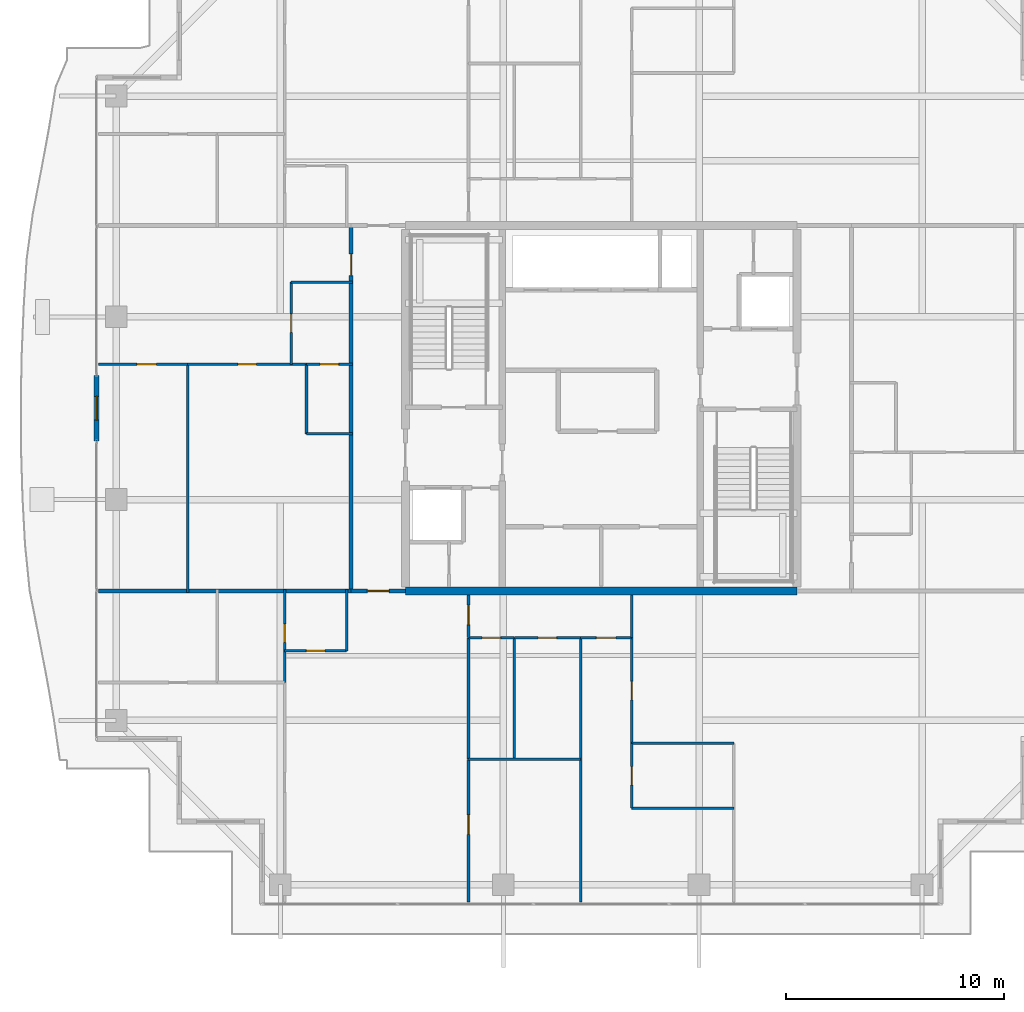
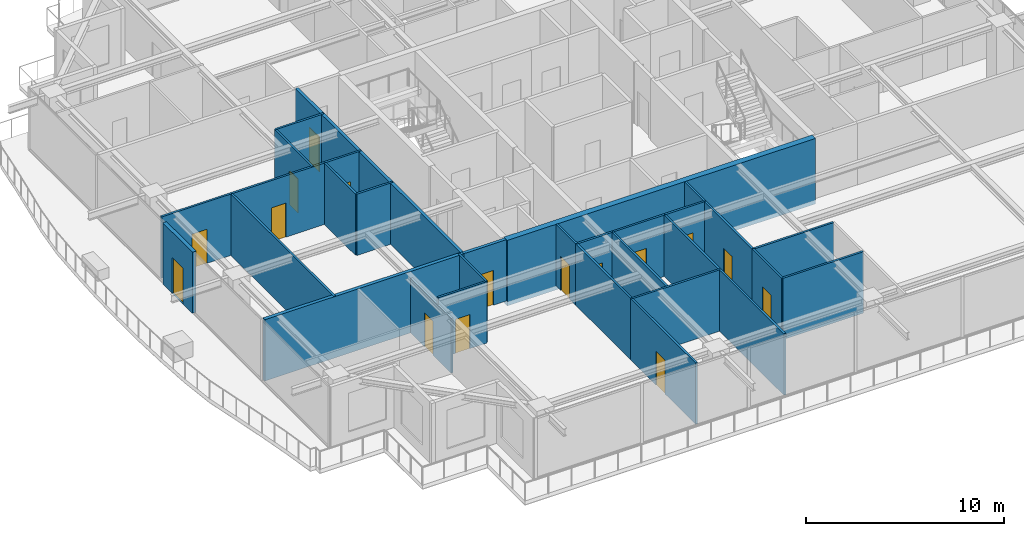
# One storey, part 26 of 37: 30 walls, 16 doors, 16 openings.
"""IFC4 building model written with IfcOpenShell, lengths in metres."""

from ifc_helpers import new_model, si_unit, direction, frame, frame_2d, origin, place, context, subcontext, project, spatial, rectangle, extrude, source, transform, mapped, material, layer, layer_set, type_object, element, fill, save


model = new_model("IFC4")

# Units and contexts
model_context = context("Model", 3, precision=1e-05, world=origin(), true_north=direction((0.0, 1.0)))
body_context = subcontext(model_context, "Body", "Model", "MODEL_VIEW")
ifc_project = project(units=[si_unit("LENGTHUNIT", "METRE"), si_unit("AREAUNIT", "SQUARE_METRE"), si_unit("VOLUMEUNIT", "CUBIC_METRE"), si_unit("PLANEANGLEUNIT", "RADIAN"), si_unit("MASSUNIT", "GRAM", prefix="KILO")], contexts=[model_context])

# Site, building, storey
site_placement = place(None, origin())
site = spatial("IfcSite", under=ifc_project, at=site_placement, CompositionType="ELEMENT")
building_placement = place(site_placement, origin())
building = spatial("IfcBuilding", under=site, at=building_placement, Name="Serunith Strait Residences", CompositionType="ELEMENT")
storey_placement = place(building_placement, frame((0.0, 0.0, 317.75)))
storey = spatial("IfcBuildingStorey", under=building, at=storey_placement, Name="L79", CompositionType="ELEMENT", Elevation=317.75)

# Wall, opening, door
ifc_material_1 = material(Name="Pale-Champagne Aluminium Insulated Panel", Category="aluminium")
ifc_layer_1 = layer(ifc_material_1, 0.219970703125, Name="Pale-Champagne Aluminium Insulated Panel")
ifc_layer_set_1 = layer_set([ifc_layer_1], Name="Pale-Champagne Aluminium Insulated Panel")
wall_type_1 = type_object("IfcWallType", Name="EW-ALUM-220", PredefinedType="ELEMENTEDWALL", material=ifc_layer_set_1)
wall_1_placement = place(storey_placement, frame((9.199951171875, 26.699951171875, 0.0), z_axis=(0.0, 0.0, 1.0), x_axis=(0.0, -1.0, 0.0)))
wall_1 = element("IfcWall", 1, at=wall_1_placement, inside=storey, type_object=wall_type_1, Name="L79 W Facade Pier Wall", PredefinedType="ELEMENTEDWALL", context=body_context, shape_type="SweptSolid", body=[
    extrude(rectangle(XDim=3.0, YDim=0.219970703125, at=frame_2d((1.5, 0.0))), origin(), (0.0, 0.0, 1.0), 3.77490234375),
])
opening_1_placement = place(wall_1_placement, frame((0.949951171875, 0.0, 0.0)))
opening_1 = element("IfcOpeningElement", 2, at=opening_1_placement, cuts=wall_1, Name="Opening ED-03", PredefinedType="OPENING", context=body_context, shape_type="SweptSolid", body=[
    extrude(rectangle(XDim=1.10009765625, YDim=2.199951171875, at=frame_2d((0.550048828125, 1.10009765625))), frame((0.0, 0.1201171875, 0.0), z_axis=(0.0, -1.0, 0.0), x_axis=(1.0, 0.0, 0.0)), (0.0, 0.0, 1.0), 0.239990234375),
])
ifc_material_2 = material(Name="Thermally-Broken Aluminium Glazed Balcony Door", Category="aluminium")
door_type_1 = type_object("IfcDoorType", Name="ED-BALC-1100", OperationType="NOTDEFINED", PredefinedType="DOOR", material=ifc_material_2)
shared_shape_1 = source(origin(), body_context, "Body", "SweptSolid", [
    extrude(rectangle(XDim=1.10009765625, YDim=2.199951171875, at=frame_2d((0.550048828125, 1.10009765625))), frame((0.0, 0.02490234375, 0.0), z_axis=(0.0, -1.0, 0.0), x_axis=(1.0, 0.0, 0.0)), (0.0, 0.0, 1.0), 0.050048828125),
])
door_1_placement = place(opening_1_placement, origin())
door_1 = element("IfcDoor", 3, at=door_1_placement, inside=storey, type_object=door_type_1, Name="L79 W Vertical-Forest Balcony Door", OperationType="SINGLE_SWING_LEFT", OverallHeight=2.199951171875, OverallWidth=1.10009765625, PredefinedType="DOOR", context=body_context, shape_type="MappedRepresentation", body=[
    mapped(shared_shape_1, transform((0.0, 0.0, 0.0), scale=1.0)),
])
fill(opening_1, door_1)

ifc_material_3 = material(Name="Fire-rated acoustic gypsum partition")
ifc_layer_2 = layer(ifc_material_3, 0.179931640625, Name="Fire-rated acoustic gypsum partition")
ifc_layer_set_2 = layer_set([ifc_layer_2], Name="Fire-rated acoustic gypsum partition")
wall_type_2 = type_object("IfcWallType", Name="IW-CORR-180", PredefinedType="PARTITIONING", material=ifc_layer_set_2)
wall_2_placement = place(storey_placement, frame((20.902099609375, 16.800048828125, 0.0), z_axis=(0.0, 0.0, 1.0), x_axis=(1.0, 0.0, 0.0)))
wall_2 = element("IfcWall", 4, at=wall_2_placement, inside=storey, type_object=wall_type_2, Name="L79 Partition Wall 024", PredefinedType="PARTITIONING", context=body_context, shape_type="SweptSolid", body=[
    extrude(rectangle(XDim=2.495849609375, YDim=0.179931640625, at=frame_2d((1.248046875, 0.0))), origin(), (0.0, 0.0, 1.0), 3.7900390625),
])
opening_2_placement = place(wall_2_placement, frame((0.748046875, 0.0, 0.0)))
opening_2 = element("IfcOpeningElement", 5, at=opening_2_placement, cuts=wall_2, Name="Opening D-APT1000", PredefinedType="OPENING", context=body_context, shape_type="SweptSolid", body=[
    extrude(rectangle(XDim=1.0, YDim=2.14990234375, at=frame_2d((0.5, 1.074951171875))), frame((0.0, 0.10009765625, 0.0), z_axis=(0.0, -1.0, 0.0), x_axis=(1.0, 0.0, 0.0)), (0.0, 0.0, 1.0), 0.199951171875),
])
ifc_material_4 = material(Name="Solid timber engineered fire door", Category="wood")
door_type_2 = type_object("IfcDoorType", Name="ID-APT-1000", OperationType="NOTDEFINED", PredefinedType="DOOR", material=ifc_material_4)
shared_shape_2 = source(origin(), body_context, "Body", "SweptSolid", [
    extrude(rectangle(XDim=1.0, YDim=2.14990234375, at=frame_2d((0.5, 1.074951171875))), frame((0.0, 0.02490234375, 0.0), z_axis=(0.0, -1.0, 0.0), x_axis=(1.0, 0.0, 0.0)), (0.0, 0.0, 1.0), 0.050048828125),
])
door_2_placement = place(opening_2_placement, origin())
door_2 = element("IfcDoor", 6, at=door_2_placement, inside=storey, type_object=door_type_2, Name="L79 Unit 01 Entrance Door", OperationType="SINGLE_SWING_LEFT", OverallHeight=2.14990234375, OverallWidth=1.0, PredefinedType="DOOR", context=body_context, shape_type="MappedRepresentation", body=[
    mapped(shared_shape_2, transform((0.0, 0.0, 0.0), scale=1.0)),
])
fill(opening_2, door_2)

wall_3_placement = place(storey_placement, frame((20.89990234375, 16.800048828125, 0.0), z_axis=(0.0, 0.0, 1.0), x_axis=(0.0, 1.0, 0.0)))
wall_3 = element("IfcWall", 7, at=wall_3_placement, inside=storey, type_object=wall_type_2, Name="L79 Partition Wall 026", PredefinedType="PARTITIONING", context=body_context, shape_type="SweptSolid", body=[
    extrude(rectangle(XDim=16.800048828125, YDim=0.179931640625, at=frame_2d((8.39990234375, 0.0))), origin(), (0.0, 0.0, 1.0), 3.7900390625),
])
opening_3_placement = place(wall_3_placement, frame((14.5, 0.0, 0.0)))
opening_3 = element("IfcOpeningElement", 8, at=opening_3_placement, cuts=wall_3, Name="Opening D-APT1000", PredefinedType="OPENING", context=body_context, shape_type="SweptSolid", body=[
    extrude(rectangle(XDim=1.0, YDim=2.14990234375, at=frame_2d((0.5, 1.074951171875))), frame((0.0, 0.10009765625, 0.0), z_axis=(0.0, -1.0, 0.0), x_axis=(1.0, 0.0, 0.0)), (0.0, 0.0, 1.0), 0.199951171875),
])
door_3_placement = place(opening_3_placement, origin())
door_3 = element("IfcDoor", 9, at=door_3_placement, inside=storey, type_object=door_type_2, Name="L79 Unit 03 Entrance Door", OperationType="SINGLE_SWING_LEFT", OverallHeight=2.14990234375, OverallWidth=1.0, PredefinedType="DOOR", context=body_context, shape_type="MappedRepresentation", body=[
    mapped(shared_shape_2, transform((0.0, 0.0, 0.0), scale=1.0)),
])
fill(opening_3, door_3)

ifc_material_5 = material(Name="Lightweight steel-stud gypsum partition", Category="steel")
ifc_layer_3 = layer(ifc_material_5, 0.1201171875, Name="Lightweight steel-stud gypsum partition")
ifc_layer_set_3 = layer_set([ifc_layer_3], Name="Lightweight steel-stud gypsum partition")
wall_type_3 = type_object("IfcWallType", Name="IW-PART-120", PredefinedType="PARTITIONING", material=ifc_layer_set_3)
wall_4_placement = place(storey_placement, frame((17.85009765625, 14.050048828125, 0.0), z_axis=(0.0, 0.0, 1.0), x_axis=(1.0, 0.0, 0.0)))
wall_4 = element("IfcWall", 10, at=wall_4_placement, inside=storey, type_object=wall_type_3, Name="L79 Partition Wall 030", PredefinedType="PARTITIONING", context=body_context, shape_type="SweptSolid", body=[
    extrude(rectangle(XDim=2.849853515625, YDim=0.1201171875, at=frame_2d((1.4248046875, 0.0))), origin(), (0.0, 0.0, 1.0), 3.7900390625),
])
opening_4_placement = place(wall_4_placement, frame((1.0, 0.0, 0.0)))
opening_4 = element("IfcOpeningElement", 11, at=opening_4_placement, cuts=wall_4, Name="Opening D-RM850", PredefinedType="OPENING", context=body_context, shape_type="SweptSolid", body=[
    extrude(rectangle(XDim=0.85009765625, YDim=2.10009765625, at=frame_2d((0.425048828125, 1.050048828125))), frame((0.0, 0.070068359375, 0.0), z_axis=(0.0, -1.0, 0.0), x_axis=(1.0, 0.0, 0.0)), (0.0, 0.0, 1.0), 0.14013671875),
])
ifc_material_6 = material(Name="Engineered timber flush study and kitchen door", Category="wood")
door_type_3 = type_object("IfcDoorType", Name="ID-ROOM-850", OperationType="NOTDEFINED", PredefinedType="DOOR", material=ifc_material_6)
shared_shape_3 = source(origin(), body_context, "Body", "SweptSolid", [
    extrude(rectangle(XDim=0.85009765625, YDim=2.10009765625, at=frame_2d((0.425048828125, 1.050048828125))), frame((0.0, 0.02490234375, 0.0), z_axis=(0.0, -1.0, 0.0), x_axis=(1.0, 0.0, 0.0)), (0.0, 0.0, 1.0), 0.050048828125),
])
door_4_placement = place(opening_4_placement, origin())
door_4 = element("IfcDoor", 12, at=door_4_placement, inside=storey, type_object=door_type_3, Name="L79 Kitchen 7901 Door", OperationType="SINGLE_SWING_LEFT", OverallHeight=2.10009765625, OverallWidth=0.85009765625, PredefinedType="DOOR", context=body_context, shape_type="MappedRepresentation", body=[
    mapped(shared_shape_3, transform((0.0, 0.0, 0.0), scale=1.0)),
])
fill(opening_4, door_4)

# Wall
wall_5_placement = place(storey_placement, frame((20.699951171875, 14.050048828125, 0.0), z_axis=(0.0, 0.0, 1.0), x_axis=(0.0, 1.0, 0.0)))
element("IfcWall", 13, at=wall_5_placement, inside=storey, type_object=wall_type_3, Name="L79 Partition Wall 031", PredefinedType="PARTITIONING", context=body_context, shape_type="SweptSolid", body=[
    extrude(rectangle(XDim=2.81005859375, YDim=0.1201171875, at=frame_2d((1.405029296875, 0.0))), origin(), (0.0, 0.0, 1.0), 3.7900390625),
])

# Wall, opening, door
wall_6_placement = place(storey_placement, frame((17.85009765625, 12.594970703125, 0.0), z_axis=(0.0, 0.0, 1.0), x_axis=(0.0, 1.0, 0.0)))
wall_6 = element("IfcWall", 14, at=wall_6_placement, inside=storey, type_object=wall_type_3, Name="L79 Partition Wall 036", PredefinedType="PARTITIONING", context=body_context, shape_type="SweptSolid", body=[
    extrude(rectangle(XDim=4.26513671875, YDim=0.1201171875, at=frame_2d((2.132568359375, 0.0))), origin(), (0.0, 0.0, 1.0), 3.3720703125),
])
opening_5_placement = place(wall_6_placement, frame((1.846923828125, 0.0, 0.0)))
opening_5 = element("IfcOpeningElement", 15, at=opening_5_placement, cuts=wall_6, Name="Opening D-BTH850", PredefinedType="OPENING", context=body_context, shape_type="SweptSolid", body=[
    extrude(rectangle(XDim=0.85009765625, YDim=2.10009765625, at=frame_2d((0.425048828125, 1.050048828125))), frame((0.0, 0.070068359375, 0.0), z_axis=(0.0, -1.0, 0.0), x_axis=(1.0, 0.0, 0.0)), (0.0, 0.0, 1.0), 0.14013671875),
])
ifc_material_7 = material(Name="Moisture-resistant timber bathroom door", Category="wood")
door_type_4 = type_object("IfcDoorType", Name="ID-BATH-850", OperationType="NOTDEFINED", PredefinedType="DOOR", material=ifc_material_7)
door_5_placement = place(opening_5_placement, origin())
door_5 = element("IfcDoor", 16, at=door_5_placement, inside=storey, type_object=door_type_4, Name="L79 Bathroom 7901 Door", OperationType="SINGLE_SWING_RIGHT", OverallHeight=2.10009765625, OverallWidth=0.85009765625, PredefinedType="DOOR", context=body_context, shape_type="MappedRepresentation", body=[
    mapped(shared_shape_3, transform((0.0, 0.0, 0.0), scale=1.0)),
])
fill(opening_5, door_5)

wall_7_placement = place(storey_placement, frame((26.300048828125, 14.64990234375, 0.0), z_axis=(0.0, 0.0, 1.0), x_axis=(0.0, 1.0, 0.0)))
wall_7 = element("IfcWall", 17, at=wall_7_placement, inside=storey, type_object=wall_type_3, Name="L79 Partition Wall 037", PredefinedType="PARTITIONING", context=body_context, shape_type="SweptSolid", body=[
    extrude(rectangle(XDim=1.97509765625, YDim=0.1201171875, at=frame_2d((0.987548828125, 0.0))), origin(), (0.0, 0.0, 1.0), 3.7900390625),
])
opening_6_placement = place(wall_7_placement, frame((0.60107421875, 0.0, 0.0)))
opening_6 = element("IfcOpeningElement", 18, at=opening_6_placement, cuts=wall_7, Name="Opening D-RM900", PredefinedType="OPENING", context=body_context, shape_type="SweptSolid", body=[
    extrude(rectangle(XDim=0.89990234375, YDim=2.10009765625, at=frame_2d((0.449951171875, 1.050048828125))), frame((0.0, 0.070068359375, 0.0), z_axis=(0.0, -1.0, 0.0), x_axis=(1.0, 0.0, 0.0)), (0.0, 0.0, 1.0), 0.14013671875),
])
ifc_material_8 = material(Name="Engineered timber flush bedroom door", Category="wood")
door_type_5 = type_object("IfcDoorType", Name="ID-ROOM-900", OperationType="NOTDEFINED", PredefinedType="DOOR", material=ifc_material_8)
shared_shape_4 = source(origin(), body_context, "Body", "SweptSolid", [
    extrude(rectangle(XDim=0.89990234375, YDim=2.10009765625, at=frame_2d((0.449951171875, 1.050048828125))), frame((0.0, 0.02490234375, 0.0), z_axis=(0.0, -1.0, 0.0), x_axis=(1.0, 0.0, 0.0)), (0.0, 0.0, 1.0), 0.050048828125),
])
door_6_placement = place(opening_6_placement, origin())
door_6 = element("IfcDoor", 19, at=door_6_placement, inside=storey, type_object=door_type_5, Name="L79 Hall E 7901 Door", OperationType="SINGLE_SWING_LEFT", OverallHeight=2.10009765625, OverallWidth=0.89990234375, PredefinedType="DOOR", context=body_context, shape_type="MappedRepresentation", body=[
    mapped(shared_shape_4, transform((0.0, 0.0, 0.0), scale=1.0)),
])
fill(opening_6, door_6)

wall_8_placement = place(storey_placement, frame((26.300048828125, 2.4951171875, 0.0), z_axis=(0.0, 0.0, 1.0), x_axis=(0.0, 1.0, 0.0)))
wall_8 = element("IfcWall", 20, at=wall_8_placement, inside=storey, type_object=wall_type_3, Name="L79 Partition Wall 038", PredefinedType="PARTITIONING", context=body_context, shape_type="SweptSolid", body=[
    extrude(rectangle(XDim=6.56787109375, YDim=0.1201171875, at=frame_2d((3.283935546875, 0.0))), origin(), (0.0, 0.0, 1.0), 3.7900390625),
])
opening_7_placement = place(wall_8_placement, frame((3.116943359375, 0.0, 0.0)))
opening_7 = element("IfcOpeningElement", 21, at=opening_7_placement, cuts=wall_8, Name="Opening D-RM900", PredefinedType="OPENING", context=body_context, shape_type="SweptSolid", body=[
    extrude(rectangle(XDim=0.89990234375, YDim=2.10009765625, at=frame_2d((0.449951171875, 1.050048828125))), frame((0.0, 0.070068359375, 0.0), z_axis=(0.0, -1.0, 0.0), x_axis=(1.0, 0.0, 0.0)), (0.0, 0.0, 1.0), 0.14013671875),
])
door_7_placement = place(opening_7_placement, origin())
door_7 = element("IfcDoor", 22, at=door_7_placement, inside=storey, type_object=door_type_5, Name="L79 Formal Dining Room 2 7901 Door", OperationType="SINGLE_SWING_RIGHT", OverallHeight=2.10009765625, OverallWidth=0.89990234375, PredefinedType="DOOR", context=body_context, shape_type="MappedRepresentation", body=[
    mapped(shared_shape_4, transform((0.0, 0.0, 0.0), scale=1.0)),
])
fill(opening_7, door_7)

# Walls
wall_9_placement = place(storey_placement, frame((26.300048828125, 9.06494140625, 0.0), z_axis=(0.0, 0.0, 1.0), x_axis=(0.0, 1.0, 0.0)))
element("IfcWall", 23, at=wall_9_placement, inside=storey, type_object=wall_type_3, Name="L79 Partition Wall 039", PredefinedType="PARTITIONING", context=body_context, shape_type="SweptSolid", body=[
    extrude(rectangle(XDim=5.5830078125, YDim=0.1201171875, at=frame_2d((2.79150390625, 0.0))), origin(), (0.0, 0.0, 1.0), 3.7900390625),
])
wall_10_placement = place(storey_placement, frame((26.300048828125, 9.06298828125, 0.0), z_axis=(0.0, 0.0, 1.0), x_axis=(1.0, 0.0, 0.0)))
element("IfcWall", 24, at=wall_10_placement, inside=storey, type_object=wall_type_3, Name="L79 Partition Wall 040", PredefinedType="PARTITIONING", context=body_context, shape_type="SweptSolid", body=[
    extrude(rectangle(XDim=5.14990234375, YDim=0.1201171875, at=frame_2d((2.574951171875, 0.0))), origin(), (0.0, 0.0, 1.0), 3.7900390625),
])
wall_11_placement = place(storey_placement, frame((31.449951171875, 2.4951171875, 0.0), z_axis=(0.0, 0.0, 1.0), x_axis=(0.0, 1.0, 0.0)))
element("IfcWall", 25, at=wall_11_placement, inside=storey, type_object=wall_type_3, Name="L79 Partition Wall 041", PredefinedType="PARTITIONING", context=body_context, shape_type="SweptSolid", body=[
    extrude(rectangle(XDim=12.15478515625, YDim=0.1201171875, at=frame_2d((6.077392578125, 0.0))), origin(), (0.0, 0.0, 1.0), 3.7900390625),
])
wall_12_placement = place(storey_placement, frame((28.39990234375, 9.06298828125, 0.0), z_axis=(0.0, 0.0, 1.0), x_axis=(0.0, 1.0, 0.0)))
element("IfcWall", 26, at=wall_12_placement, inside=storey, type_object=wall_type_3, Name="L79 Partition Wall 042", PredefinedType="PARTITIONING", context=body_context, shape_type="SweptSolid", body=[
    extrude(rectangle(XDim=5.5869140625, YDim=0.1201171875, at=frame_2d((2.79345703125, 0.0))), origin(), (0.0, 0.0, 1.0), 3.7900390625),
])

# Wall, opening, door
wall_13_placement = place(storey_placement, frame((26.300048828125, 14.64990234375, 0.0), z_axis=(0.0, 0.0, 1.0), x_axis=(1.0, 0.0, 0.0)))
wall_13 = element("IfcWall", 27, at=wall_13_placement, inside=storey, type_object=wall_type_3, Name="L79 Partition Wall 043", PredefinedType="PARTITIONING", context=body_context, shape_type="SweptSolid", body=[
    extrude(rectangle(XDim=2.099853515625, YDim=0.1201171875, at=frame_2d((1.0498046875, 0.0))), origin(), (0.0, 0.0, 1.0), 3.7900390625),
])
opening_8_placement = place(wall_13_placement, frame((0.625, 0.0, 0.0)))
opening_8 = element("IfcOpeningElement", 28, at=opening_8_placement, cuts=wall_13, Name="Opening D-RM850", PredefinedType="OPENING", context=body_context, shape_type="SweptSolid", body=[
    extrude(rectangle(XDim=0.85009765625, YDim=2.10009765625, at=frame_2d((0.425048828125, 1.050048828125))), frame((0.0, 0.070068359375, 0.0), z_axis=(0.0, -1.0, 0.0), x_axis=(1.0, 0.0, 0.0)), (0.0, 0.0, 1.0), 0.14013671875),
])
door_8_placement = place(opening_8_placement, origin())
door_8 = element("IfcDoor", 29, at=door_8_placement, inside=storey, type_object=door_type_3, Name="L79 Study 7901 Door", OperationType="SINGLE_SWING_LEFT", OverallHeight=2.10009765625, OverallWidth=0.85009765625, PredefinedType="DOOR", context=body_context, shape_type="MappedRepresentation", body=[
    mapped(shared_shape_3, transform((0.0, 0.0, 0.0), scale=1.0)),
])
fill(opening_8, door_8)

wall_14_placement = place(storey_placement, frame((28.402099609375, 14.64990234375, 0.0), z_axis=(0.0, 0.0, 1.0), x_axis=(1.0, 0.0, 0.0)))
wall_14 = element("IfcWall", 30, at=wall_14_placement, inside=storey, type_object=wall_type_3, Name="L79 Partition Wall 044", PredefinedType="PARTITIONING", context=body_context, shape_type="SweptSolid", body=[
    extrude(rectangle(XDim=3.0478515625, YDim=0.1201171875, at=frame_2d((1.52392578125, 0.0))), origin(), (0.0, 0.0, 1.0), 3.7900390625),
])
opening_9_placement = place(wall_14_placement, frame((1.09912109375, 0.0, 0.0)))
opening_9 = element("IfcOpeningElement", 31, at=opening_9_placement, cuts=wall_14, Name="Opening D-RM850", PredefinedType="OPENING", context=body_context, shape_type="SweptSolid", body=[
    extrude(rectangle(XDim=0.85009765625, YDim=2.10009765625, at=frame_2d((0.425048828125, 1.050048828125))), frame((0.0, 0.070068359375, 0.0), z_axis=(0.0, -1.0, 0.0), x_axis=(1.0, 0.0, 0.0)), (0.0, 0.0, 1.0), 0.14013671875),
])
door_9_placement = place(opening_9_placement, origin())
door_9 = element("IfcDoor", 32, at=door_9_placement, inside=storey, type_object=door_type_3, Name="L79 Formal Dining Room 7901 Door", OperationType="SINGLE_SWING_RIGHT", OverallHeight=2.10009765625, OverallWidth=0.85009765625, PredefinedType="DOOR", context=body_context, shape_type="MappedRepresentation", body=[
    mapped(shared_shape_3, transform((0.0, 0.0, 0.0), scale=1.0)),
])
fill(opening_9, door_9)

wall_15_placement = place(storey_placement, frame((31.451904296875, 14.64990234375, 0.0), z_axis=(0.0, 0.0, 1.0), x_axis=(1.0, 0.0, 0.0)))
wall_15 = element("IfcWall", 33, at=wall_15_placement, inside=storey, type_object=wall_type_3, Name="L79 Partition Wall 045", PredefinedType="PARTITIONING", context=body_context, shape_type="SweptSolid", body=[
    extrude(rectangle(XDim=2.34814453125, YDim=0.1201171875, at=frame_2d((1.174072265625, 0.0))), origin(), (0.0, 0.0, 1.0), 3.7900390625),
])
opening_10_placement = place(wall_15_placement, frame((0.72412109375, 0.0, 0.0)))
opening_10 = element("IfcOpeningElement", 34, at=opening_10_placement, cuts=wall_15, Name="Opening D-RM900", PredefinedType="OPENING", context=body_context, shape_type="SweptSolid", body=[
    extrude(rectangle(XDim=0.89990234375, YDim=2.10009765625, at=frame_2d((0.449951171875, 1.050048828125))), frame((0.0, 0.070068359375, 0.0), z_axis=(0.0, -1.0, 0.0), x_axis=(1.0, 0.0, 0.0)), (0.0, 0.0, 1.0), 0.14013671875),
])
door_10_placement = place(opening_10_placement, origin())
door_10 = element("IfcDoor", 35, at=door_10_placement, inside=storey, type_object=door_type_5, Name="L79 Master Bedroom E 7901 Door", OperationType="SINGLE_SWING_LEFT", OverallHeight=2.10009765625, OverallWidth=0.89990234375, PredefinedType="DOOR", context=body_context, shape_type="MappedRepresentation", body=[
    mapped(shared_shape_4, transform((0.0, 0.0, 0.0), scale=1.0)),
])
fill(opening_10, door_10)

# Walls
for number, where, z_axis, x_axis, name in (
    (36, (33.800048828125, 6.81201171875, 0.0), (0.0, 0.0, 1.0), (1.0, 0.0, 0.0), "L79 Partition Wall 046"),
    (37, (33.800048828125, 9.791015625, 0.0), (0.0, 0.0, 1.0), (1.0, 0.0, 0.0), "L79 Partition Wall 048"),
):
    element("IfcWall", number, at=place(storey_placement, frame(where, z_axis=z_axis, x_axis=x_axis)), inside=storey, type_object=wall_type_3, Name=name, PredefinedType="PARTITIONING", context=body_context, shape_type="SweptSolid", body=[
        extrude(rectangle(XDim=4.699951171875, YDim=0.1201171875, at=frame_2d((2.35009765625, 0.0))), origin(), (0.0, 0.0, 1.0), 3.7900390625),
    ])

# Wall, opening, door
wall_16_placement = place(storey_placement, frame((33.800048828125, 6.81201171875, 0.0), z_axis=(0.0, 0.0, 1.0), x_axis=(0.0, 1.0, 0.0)))
wall_16 = element("IfcWall", 38, at=wall_16_placement, inside=storey, type_object=wall_type_3, Name="L79 Partition Wall 049", PredefinedType="PARTITIONING", context=body_context, shape_type="SweptSolid", body=[
    extrude(rectangle(XDim=2.97900390625, YDim=0.1201171875, at=frame_2d((1.489501953125, 0.0))), origin(), (0.0, 0.0, 1.0), 3.7900390625),
])
opening_11_placement = place(wall_16_placement, frame((1.06494140625, 0.0, 0.0)))
opening_11 = element("IfcOpeningElement", 39, at=opening_11_placement, cuts=wall_16, Name="Opening D-BTH850", PredefinedType="OPENING", context=body_context, shape_type="SweptSolid", body=[
    extrude(rectangle(XDim=0.85009765625, YDim=2.10009765625, at=frame_2d((0.425048828125, 1.050048828125))), frame((0.0, 0.070068359375, 0.0), z_axis=(0.0, -1.0, 0.0), x_axis=(1.0, 0.0, 0.0)), (0.0, 0.0, 1.0), 0.14013671875),
])
door_11_placement = place(opening_11_placement, origin())
door_11 = element("IfcDoor", 40, at=door_11_placement, inside=storey, type_object=door_type_4, Name="L79 En-suite Bathroom E 7901 Door", OperationType="SINGLE_SWING_RIGHT", OverallHeight=2.10009765625, OverallWidth=0.85009765625, PredefinedType="DOOR", context=body_context, shape_type="MappedRepresentation", body=[
    mapped(shared_shape_3, transform((0.0, 0.0, 0.0), scale=1.0)),
])
fill(opening_11, door_11)

wall_17_placement = place(storey_placement, frame((33.800048828125, 9.79296875, 0.0), z_axis=(0.0, 0.0, 1.0), x_axis=(0.0, 1.0, 0.0)))
wall_17 = element("IfcWall", 41, at=wall_17_placement, inside=storey, type_object=wall_type_3, Name="L79 Partition Wall 050", PredefinedType="PARTITIONING", context=body_context, shape_type="SweptSolid", body=[
    extrude(rectangle(XDim=4.85693359375, YDim=0.1201171875, at=frame_2d((2.428466796875, 0.0))), origin(), (0.0, 0.0, 1.0), 3.7900390625),
])
opening_12_placement = place(wall_17_placement, frame((2.00390625, 0.0, 0.0)))
opening_12 = element("IfcOpeningElement", 42, at=opening_12_placement, cuts=wall_17, Name="Opening D-RM850", PredefinedType="OPENING", context=body_context, shape_type="SweptSolid", body=[
    extrude(rectangle(XDim=0.85009765625, YDim=2.10009765625, at=frame_2d((0.425048828125, 1.050048828125))), frame((0.0, 0.070068359375, 0.0), z_axis=(0.0, -1.0, 0.0), x_axis=(1.0, 0.0, 0.0)), (0.0, 0.0, 1.0), 0.14013671875),
])
door_12_placement = place(opening_12_placement, origin())
door_12 = element("IfcDoor", 43, at=door_12_placement, inside=storey, type_object=door_type_3, Name="L79 Wardrobe E 7901 Door", OperationType="SINGLE_SWING_LEFT", OverallHeight=2.10009765625, OverallWidth=0.85009765625, PredefinedType="DOOR", context=body_context, shape_type="MappedRepresentation", body=[
    mapped(shared_shape_3, transform((0.0, 0.0, 0.0), scale=1.0)),
])
fill(opening_12, door_12)

# Wall
wall_18_placement = place(storey_placement, frame((33.800048828125, 14.652099609375, 0.0), z_axis=(0.0, 0.0, 1.0), x_axis=(0.0, 1.0, 0.0)))
element("IfcWall", 44, at=wall_18_placement, inside=storey, type_object=wall_type_3, Name="L79 Partition Wall 051", PredefinedType="PARTITIONING", context=body_context, shape_type="SweptSolid", body=[
    extrude(rectangle(XDim=1.972900390625, YDim=0.1201171875, at=frame_2d((0.986328125, 0.0))), origin(), (0.0, 0.0, 1.0), 3.7900390625),
])

# Wall, opening, door
wall_19_placement = place(storey_placement, frame((18.14990234375, 27.219970703125, 0.0), z_axis=(0.0, 0.0, 1.0), x_axis=(0.0, 1.0, 0.0)))
wall_19 = element("IfcWall", 45, at=wall_19_placement, inside=storey, type_object=wall_type_3, Name="L79 Partition Wall 074", PredefinedType="PARTITIONING", context=body_context, shape_type="SweptSolid", body=[
    extrude(rectangle(XDim=3.780029296875, YDim=0.1201171875, at=frame_2d((1.89013671875, 0.0))), origin(), (0.0, 0.0, 1.0), 3.7900390625),
])
opening_13_placement = place(wall_19_placement, frame((1.465087890625, 0.0, 0.0)))
opening_13 = element("IfcOpeningElement", 46, at=opening_13_placement, cuts=wall_19, Name="Opening D-RM850", PredefinedType="OPENING", context=body_context, shape_type="SweptSolid", body=[
    extrude(rectangle(XDim=0.85009765625, YDim=2.10009765625, at=frame_2d((0.425048828125, 1.050048828125))), frame((0.0, 0.070068359375, 0.0), z_axis=(0.0, -1.0, 0.0), x_axis=(1.0, 0.0, 0.0)), (0.0, 0.0, 1.0), 0.14013671875),
])
door_13_placement = place(opening_13_placement, origin())
door_13 = element("IfcDoor", 47, at=door_13_placement, inside=storey, type_object=door_type_3, Name="L79 Kitchen 7903 Door", OperationType="SINGLE_SWING_LEFT", OverallHeight=2.10009765625, OverallWidth=0.85009765625, PredefinedType="DOOR", context=body_context, shape_type="MappedRepresentation", body=[
    mapped(shared_shape_3, transform((0.0, 0.0, 0.0), scale=1.0)),
])
fill(opening_13, door_13)

# Wall
wall_20_placement = place(storey_placement, frame((18.14990234375, 31.0, 0.0), z_axis=(0.0, 0.0, 1.0), x_axis=(1.0, 0.0, 0.0)))
element("IfcWall", 48, at=wall_20_placement, inside=storey, type_object=wall_type_3, Name="L79 Partition Wall 075", PredefinedType="PARTITIONING", context=body_context, shape_type="SweptSolid", body=[
    extrude(rectangle(XDim=2.81005859375, YDim=0.1201171875, at=frame_2d((1.405029296875, 0.0))), origin(), (0.0, 0.0, 1.0), 3.7900390625),
])

# Wall, opening, door
wall_21_placement = place(storey_placement, frame((9.294921875, 27.219970703125, 0.0), z_axis=(0.0, 0.0, 1.0), x_axis=(1.0, 0.0, 0.0)))
wall_21 = element("IfcWall", 49, at=wall_21_placement, inside=storey, type_object=wall_type_3, Name="L79 Partition Wall 076", PredefinedType="PARTITIONING", context=body_context, shape_type="SweptSolid", body=[
    extrude(rectangle(XDim=4.093994140625, YDim=0.1201171875, at=frame_2d((2.046875, 0.0))), origin(), (0.0, 0.0, 1.0), 3.7900390625),
])
opening_14_placement = place(wall_21_placement, frame((1.757080078125, 0.0, 0.0)))
opening_14 = element("IfcOpeningElement", 50, at=opening_14_placement, cuts=wall_21, Name="Opening D-RM900", PredefinedType="OPENING", context=body_context, shape_type="SweptSolid", body=[
    extrude(rectangle(XDim=0.89990234375, YDim=2.10009765625, at=frame_2d((0.449951171875, 1.050048828125))), frame((0.0, 0.070068359375, 0.0), z_axis=(0.0, -1.0, 0.0), x_axis=(1.0, 0.0, 0.0)), (0.0, 0.0, 1.0), 0.14013671875),
])
door_14_placement = place(opening_14_placement, origin())
door_14 = element("IfcDoor", 51, at=door_14_placement, inside=storey, type_object=door_type_5, Name="L79 Master Bedroom 1 7903 Door", OperationType="SINGLE_SWING_RIGHT", OverallHeight=2.10009765625, OverallWidth=0.89990234375, PredefinedType="DOOR", context=body_context, shape_type="MappedRepresentation", body=[
    mapped(shared_shape_4, transform((0.0, 0.0, 0.0), scale=1.0)),
])
fill(opening_14, door_14)

# Walls
wall_22_placement = place(storey_placement, frame((13.388916015625, 16.739990234375, 0.0), z_axis=(0.0, 0.0, 1.0), x_axis=(0.0, 1.0, 0.0)))
element("IfcWall", 52, at=wall_22_placement, inside=storey, type_object=wall_type_3, Name="L79 Partition Wall 077", PredefinedType="PARTITIONING", context=body_context, shape_type="SweptSolid", body=[
    extrude(rectangle(XDim=10.47998046875, YDim=0.1201171875, at=frame_2d((5.239990234375, 0.0))), origin(), (0.0, 0.0, 1.0), 3.7900390625),
])
wall_23_placement = place(storey_placement, frame((18.85009765625, 24.02001953125, 0.0), z_axis=(0.0, 0.0, 1.0), x_axis=(0.0, 1.0, 0.0)))
element("IfcWall", 53, at=wall_23_placement, inside=storey, type_object=wall_type_3, Name="L79 Partition Wall 078", PredefinedType="PARTITIONING", context=body_context, shape_type="SweptSolid", body=[
    extrude(rectangle(XDim=3.199951171875, YDim=0.1201171875, at=frame_2d((1.60009765625, 0.0))), origin(), (0.0, 0.0, 1.0), 3.7900390625),
])
wall_24_placement = place(storey_placement, frame((18.85009765625, 24.02001953125, 0.0), z_axis=(0.0, 0.0, 1.0), x_axis=(1.0, 0.0, 0.0)))
element("IfcWall", 54, at=wall_24_placement, inside=storey, type_object=wall_type_3, Name="L79 Partition Wall 079", PredefinedType="PARTITIONING", context=body_context, shape_type="SweptSolid", body=[
    extrude(rectangle(XDim=2.10986328125, YDim=0.1201171875, at=frame_2d((1.054931640625, 0.0))), origin(), (0.0, 0.0, 1.0), 3.7900390625),
])

# Wall, opening, door
wall_25_placement = place(storey_placement, frame((13.39111328125, 27.219970703125, 0.0), z_axis=(0.0, 0.0, 1.0), x_axis=(1.0, 0.0, 0.0)))
wall_25 = element("IfcWall", 55, at=wall_25_placement, inside=storey, type_object=wall_type_3, Name="L79 Partition Wall 080", PredefinedType="PARTITIONING", context=body_context, shape_type="SweptSolid", body=[
    extrude(rectangle(XDim=5.458984375, YDim=0.1201171875, at=frame_2d((2.7294921875, 0.0))), origin(), (0.0, 0.0, 1.0), 3.7900390625),
])
opening_15_placement = place(wall_25_placement, frame((2.304931640625, 0.0, 0.0)))
opening_15 = element("IfcOpeningElement", 56, at=opening_15_placement, cuts=wall_25, Name="Opening D-RM850", PredefinedType="OPENING", context=body_context, shape_type="SweptSolid", body=[
    extrude(rectangle(XDim=0.85009765625, YDim=2.10009765625, at=frame_2d((0.425048828125, 1.050048828125))), frame((0.0, 0.070068359375, 0.0), z_axis=(0.0, -1.0, 0.0), x_axis=(1.0, 0.0, 0.0)), (0.0, 0.0, 1.0), 0.14013671875),
])
door_15_placement = place(opening_15_placement, origin())
door_15 = element("IfcDoor", 57, at=door_15_placement, inside=storey, type_object=door_type_3, Name="L79 Walk-in Wardrobe 7903 Door", OperationType="SINGLE_SWING_LEFT", OverallHeight=2.10009765625, OverallWidth=0.85009765625, PredefinedType="DOOR", context=body_context, shape_type="MappedRepresentation", body=[
    mapped(shared_shape_3, transform((0.0, 0.0, 0.0), scale=1.0)),
])
fill(opening_15, door_15)

wall_26_placement = place(storey_placement, frame((18.85205078125, 27.219970703125, 0.0), z_axis=(0.0, 0.0, 1.0), x_axis=(1.0, 0.0, 0.0)))
wall_26 = element("IfcWall", 58, at=wall_26_placement, inside=storey, type_object=wall_type_3, Name="L79 Partition Wall 081", PredefinedType="PARTITIONING", context=body_context, shape_type="SweptSolid", body=[
    extrude(rectangle(XDim=2.10791015625, YDim=0.1201171875, at=frame_2d((1.053955078125, 0.0))), origin(), (0.0, 0.0, 1.0), 3.7900390625),
])
opening_16_placement = place(wall_26_placement, frame((0.62890625, 0.0, 0.0)))
opening_16 = element("IfcOpeningElement", 59, at=opening_16_placement, cuts=wall_26, Name="Opening D-BTH850", PredefinedType="OPENING", context=body_context, shape_type="SweptSolid", body=[
    extrude(rectangle(XDim=0.85009765625, YDim=2.10009765625, at=frame_2d((0.425048828125, 1.050048828125))), frame((0.0, 0.070068359375, 0.0), z_axis=(0.0, -1.0, 0.0), x_axis=(1.0, 0.0, 0.0)), (0.0, 0.0, 1.0), 0.14013671875),
])
door_16_placement = place(opening_16_placement, origin())
door_16 = element("IfcDoor", 60, at=door_16_placement, inside=storey, type_object=door_type_4, Name="L79 Bathroom 7903 Door", OperationType="SINGLE_SWING_RIGHT", OverallHeight=2.10009765625, OverallWidth=0.85009765625, PredefinedType="DOOR", context=body_context, shape_type="MappedRepresentation", body=[
    mapped(shared_shape_3, transform((0.0, 0.0, 0.0), scale=1.0)),
])
fill(opening_16, door_16)

# Walls
ifc_material_9 = material(Name="Twin-stud acoustic gypsum board partition")
ifc_layer_4 = layer(ifc_material_9, 0.199951171875, Name="Twin-stud acoustic gypsum board partition")
ifc_layer_set_4 = layer_set([ifc_layer_4], Name="Twin-stud acoustic gypsum board partition")
wall_type_4 = type_object("IfcWallType", Name="IW-PARTY-200", PredefinedType="PARTITIONING", material=ifc_layer_set_4)
wall_27_placement = place(storey_placement, frame((9.281982421875, 16.800048828125, 0.0), z_axis=(0.0, 0.0, 1.0), x_axis=(1.0, 0.0, 0.0)))
element("IfcWall", 61, at=wall_27_placement, inside=storey, type_object=wall_type_4, Name="L79 Partition Wall 020", PredefinedType="PARTITIONING", context=body_context, shape_type="SweptSolid", body=[
    extrude(rectangle(XDim=11.617919921875, YDim=0.199951171875, at=frame_2d((5.80908203125, 0.0))), origin(), (0.0, 0.0, 1.0), 3.7900390625),
])
ifc_material_10 = material(Name="Concrete C60/75", Category="concrete")
ifc_layer_5 = layer(ifc_material_10, 0.35009765625, Name="Concrete C60/75")
ifc_layer_set_5 = layer_set([ifc_layer_5], Name="Concrete C60/75")
wall_type_5 = type_object("IfcWallType", Name="SW-350-C60", PredefinedType="SHEAR", material=ifc_layer_set_5)
wall_28_placement = place(storey_placement, frame((23.39990234375, 16.800048828125, -0.260009765625), z_axis=(0.0, 0.0, 1.0), x_axis=(1.0, 0.0, 0.0)))
element("IfcWall", 62, at=wall_28_placement, inside=storey, type_object=wall_type_5, Name="L79 Core South Shear Wall", PredefinedType="SHEAR", context=body_context, shape_type="SweptSolid", body=[
    extrude(rectangle(XDim=18.0, YDim=0.35009765625, at=frame_2d((9.0, 0.0))), origin(), (0.0, 0.0, 1.0), 4.048095703125),
])

save(model, "model.ifc")
